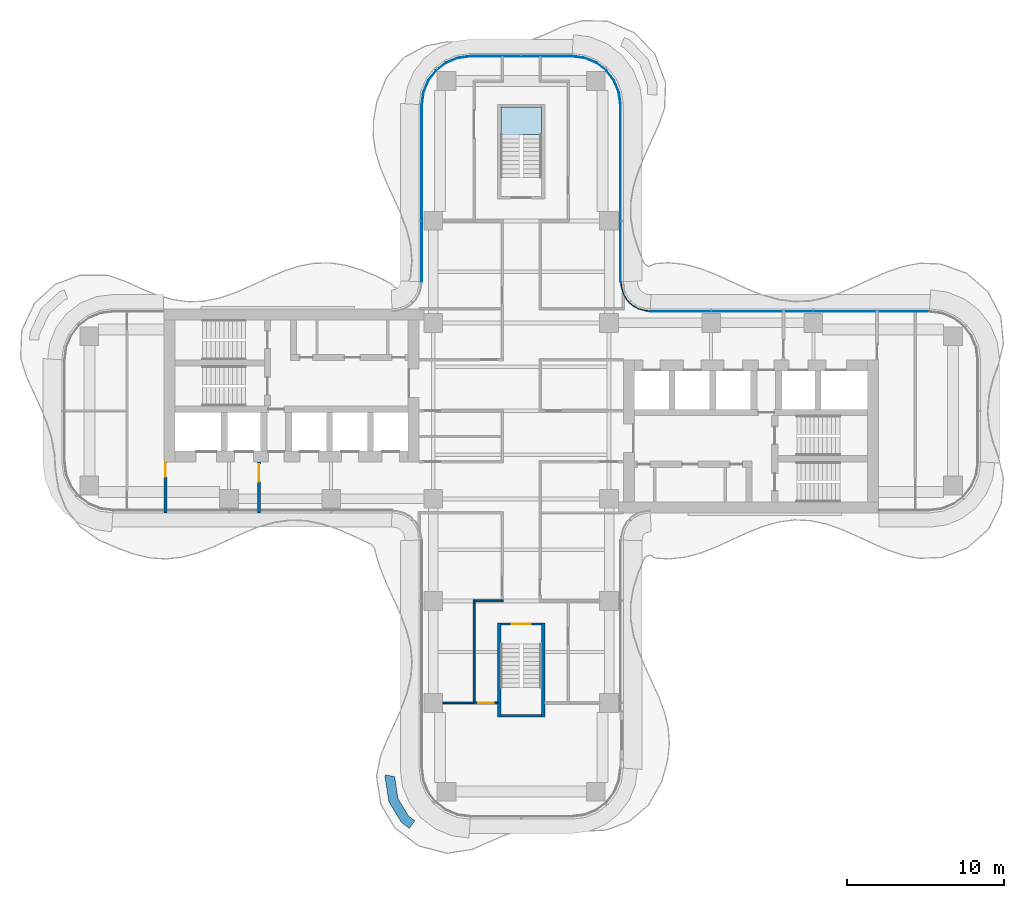
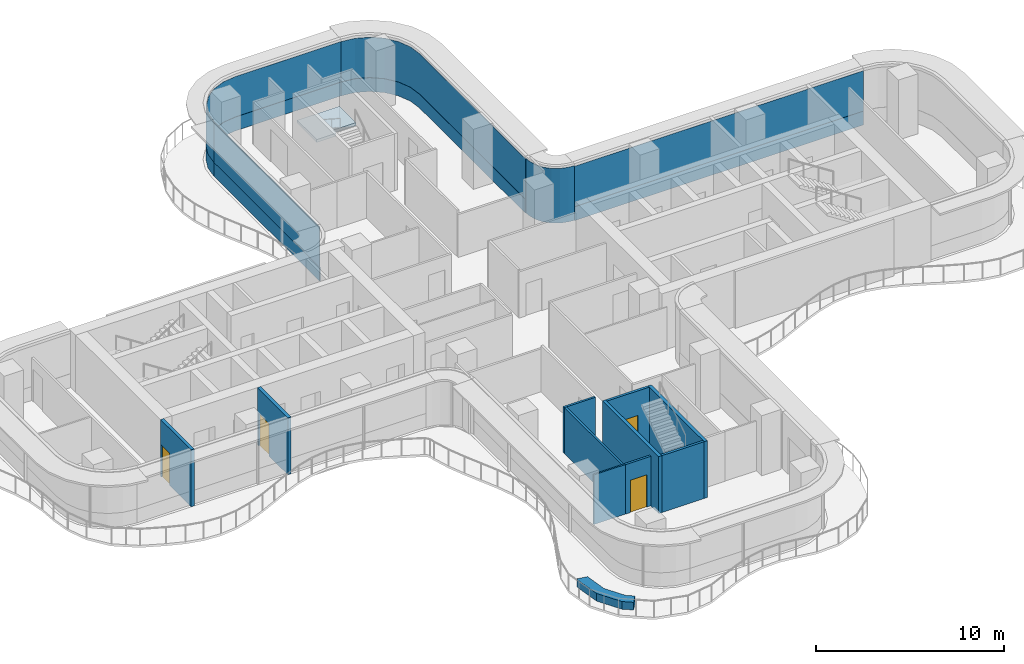
# One storey, part 12 of 18: 11 walls, 9 plates, 4 doors, 1 slab, 4 openings, 6 elements without a shape of their own.
"""IFC4 building model written with IfcOpenShell, lengths in metres."""

from ifc_helpers import new_model, si_unit, direction, frame, frame_2d, origin, place, context, subcontext, project, spatial, polyline, rectangle, outline, extrude, source, transform, mapped, material, layer, layer_set, type_object, element, fill, aggregate, save


model = new_model("IFC4")

# Units and contexts
model_context = context("Model", 3, precision=1e-05, world=origin(), true_north=direction((0.0, 1.0)))
body_context = subcontext(model_context, "Body", "Model", "MODEL_VIEW")
ifc_project = project(units=[si_unit("LENGTHUNIT", "METRE"), si_unit("AREAUNIT", "SQUARE_METRE"), si_unit("VOLUMEUNIT", "CUBIC_METRE"), si_unit("PLANEANGLEUNIT", "RADIAN"), si_unit("MASSUNIT", "GRAM", prefix="KILO")], contexts=[model_context])

# Site, building, storey
site_placement = place(None, origin())
site = spatial("IfcSite", under=ifc_project, at=site_placement, CompositionType="ELEMENT")
building_placement = place(site_placement, origin())
building = spatial("IfcBuilding", under=site, at=building_placement, Name="Trellis Farm Tower", CompositionType="ELEMENT")
storey_placement = place(building_placement, frame((0.0, 0.0, 201.0)))
storey = spatial("IfcBuildingStorey", under=building, at=storey_placement, Name="L44", CompositionType="ELEMENT", Elevation=201.0)

# Stair, slab
ifc_material_1 = material(Name="Concrete C50/60", Category="concrete")
stair_type = type_object("IfcStairType", Name="CORE EXIT STAIR 22 RISERS 177 MM", PredefinedType="HALF_TURN_STAIR", material=ifc_material_1)
placement_1 = place(storey_placement, origin())
stair = element("IfcStair", 1, at=placement_1, inside=storey, type_object=stair_type, Name="Exit stair N", PredefinedType="HALF_TURN_STAIR")
ifc_layer_1 = layer(ifc_material_1, 0.18994140625)
ifc_layer_set_1 = layer_set([ifc_layer_1], Name="CORE STAIR LANDING 190 CONCRETE C50/60")
slab_type = type_object("IfcSlabType", Name="CORE STAIR LANDING 190 CONCRETE C50/60", PredefinedType="LANDING", material=ifc_layer_set_1)
shared_shape_1 = source(origin(), body_context, "Body", "SweptSolid", [
    extrude(outline(polyline([(-0.10009765625, 17.27197265625), (-1.300048828125, 17.27197265625), (-1.300048828125, 17.60009765625), (-1.300048828125, 19.35009765625), (1.300048828125, 19.35009765625), (1.300048828125, 17.60009765625), (1.300048828125, 17.590087890625), (0.10009765625, 17.590087890625), (0.10009765625, 17.60009765625), (-0.10009765625, 17.60009765625), (-0.10009765625, 17.27197265625)])), origin(), (0.0, 0.0, 1.0), 0.18994140625),
])
slab_placement = place(storey_placement, frame((0.0, 0.0, 1.760009765625)))
slab = element("IfcSlab", 2, at=slab_placement, type_object=slab_type, Name="STN landing 1", PredefinedType="LANDING", context=body_context, shape_type="MappedRepresentation", body=[
    mapped(shared_shape_1, transform((0.0, 0.0, 0.0))),
])
aggregate(stair, [slab])

# Curtain wall, plate
ifc_material_2 = material(Name="Aluminium and glass curtain wall", Category="aluminium")
ifc_layer_2 = layer(ifc_material_2, 0.18994140625)
ifc_layer_set_2 = layer_set([ifc_layer_2], Name="RIBBON CURTAIN WALL CW1")
curtain_wall_type_1 = type_object("IfcCurtainWallType", Name="RIBBON CURTAIN WALL CW1", PredefinedType="NOTDEFINED", material=ifc_layer_set_2)
curtain_wall_1 = element("IfcCurtainWall", 3, at=placement_1, inside=storey, type_object=curtain_wall_type_1, Name="CW1 008", PredefinedType="NOTDEFINED")
ifc_material_3 = material(Name="Sandstone faced insulated panel", Category="masonry")
ifc_layer_3 = layer(ifc_material_3, 0.050048828125)
ifc_layer_set_3 = layer_set([ifc_layer_3], Name="CW1 STONE SPANDREL PANEL 50")
plate_type_1 = type_object("IfcPlateType", Name="CW1 STONE SPANDREL PANEL 50", PredefinedType="CURTAIN_PANEL", material=ifc_layer_set_3)
shared_shape_2 = source(origin(), body_context, "Body", "SweptSolid", [
    extrude(outline(polyline([(25.990234375, 6.35009765625), (8.2265625, 6.35009765625), (8.224853515625, 6.300048828125), (25.98681640625, 6.300048828125), (25.990234375, 6.35009765625)])), origin(), (0.0, 0.0, 1.0), 0.89990234375),
])
plate_1 = element("IfcPlate", 4, at=placement_1, type_object=plate_type_1, Name="PS1 008", PredefinedType="CURTAIN_PANEL", context=body_context, shape_type="MappedRepresentation", body=[
    mapped(shared_shape_2, transform((0.0, 0.0, 0.0))),
])

ifc_layer_4 = layer(ifc_material_2, 0.166015625)
ifc_layer_set_4 = layer_set([ifc_layer_4], Name="WINTER GARDEN CURTAIN WALL CW3")
curtain_wall_type_2 = type_object("IfcCurtainWallType", Name="WINTER GARDEN CURTAIN WALL CW3", PredefinedType="NOTDEFINED", material=ifc_layer_set_4)
curtain_wall_2 = element("IfcCurtainWall", 5, at=placement_1, inside=storey, type_object=curtain_wall_type_2, Name="CW3 003", PredefinedType="NOTDEFINED")
ifc_material_4 = material(Name="Clear insulated glass", Category="glass")
ifc_layer_5 = layer(ifc_material_4, 0.0458984375)
ifc_layer_set_5 = layer_set([ifc_layer_5], Name="CW3 GLASS PANEL 46")
plate_type_2 = type_object("IfcPlateType", Name="CW3 GLASS PANEL 46", PredefinedType="CURTAIN_PANEL", material=ifc_layer_set_5)
shared_shape_3 = source(origin(), body_context, "Body", "SweptSolid", [
    extrude(outline(polyline([(8.2275390625, 6.3798828125), (8.0078125, 6.394287109375), (7.89208984375, 6.40966796875), (7.462158203125, 6.52490234375), (7.070556640625, 6.7509765625), (6.7509765625, 7.070556640625), (6.52490234375, 7.462158203125), (6.40966796875, 7.89208984375), (6.394287109375, 8.0078125), (6.3798828125, 8.2275390625), (6.333984375, 8.22607421875), (6.3486328125, 8.003173828125), (6.364501953125, 7.883056640625), (6.48193359375, 7.4443359375), (6.714111328125, 7.04248046875), (7.04248046875, 6.714111328125), (7.4443359375, 6.48193359375), (7.883056640625, 6.364501953125), (8.003173828125, 6.3486328125), (8.22607421875, 6.333984375), (8.2275390625, 6.3798828125)])), origin(), (0.0, 0.0, 1.0), 3.550048828125),
])
plate_2 = element("IfcPlate", 6, at=placement_1, type_object=plate_type_2, Name="PL3 003", PredefinedType="CURTAIN_PANEL", context=body_context, shape_type="MappedRepresentation", body=[
    mapped(shared_shape_3, transform((0.0, 0.0, 0.0))),
])
aggregate(curtain_wall_2, [plate_2])

# Plate
ifc_layer_6 = layer(ifc_material_4, 0.0400390625)
ifc_layer_set_6 = layer_set([ifc_layer_6], Name="CW1 GLASS PANEL 40")
plate_type_3 = type_object("IfcPlateType", Name="CW1 GLASS PANEL 40", PredefinedType="CURTAIN_PANEL", material=ifc_layer_set_6)
shared_shape_4 = source(origin(), body_context, "Body", "SweptSolid", [
    extrude(outline(polyline([(25.990234375, 6.35009765625), (8.2265625, 6.35009765625), (8.22509765625, 6.31005859375), (25.987548828125, 6.31005859375), (25.990234375, 6.35009765625)])), origin(), (0.0, 0.0, 1.0), 2.6201171875),
])
placement_2 = place(storey_placement, frame((0.0, 0.0, 0.89990234375)))
plate_3 = element("IfcPlate", 7, at=placement_2, type_object=plate_type_3, Name="PL1 008", PredefinedType="CURTAIN_PANEL", context=body_context, shape_type="MappedRepresentation", body=[
    mapped(shared_shape_4, transform((0.0, 0.0, 0.0))),
])

aggregate(curtain_wall_1, [plate_3, plate_1])

# Curtain wall, plates
curtain_wall_3 = element("IfcCurtainWall", 8, at=placement_1, inside=storey, type_object=curtain_wall_type_1, Name="CW1 009", PredefinedType="NOTDEFINED")
shared_shape_5 = source(origin(), body_context, "Body", "SweptSolid", [
    extrude(outline(polyline([(6.35009765625, 8.2265625), (6.35009765625, 19.490234375), (6.2431640625, 20.302001953125), (5.93359375, 21.04931640625), (5.441162109375, 21.691162109375), (4.79931640625, 22.18359375), (4.052001953125, 22.4931640625), (3.240234375, 22.60009765625), (3.237548828125, 22.56005859375), (4.04150390625, 22.4541015625), (4.779296875, 22.148681640625), (5.41259765625, 21.66259765625), (5.898681640625, 21.029296875), (6.2041015625, 20.29150390625), (6.31005859375, 19.487548828125), (6.31005859375, 8.22509765625), (6.35009765625, 8.2265625)])), origin(), (0.0, 0.0, 1.0), 2.6201171875),
])
plate_4 = element("IfcPlate", 9, at=placement_2, type_object=plate_type_3, Name="PL1 009", PredefinedType="CURTAIN_PANEL", context=body_context, shape_type="MappedRepresentation", body=[
    mapped(shared_shape_5, transform((0.0, 0.0, 0.0))),
])
shared_shape_6 = source(origin(), body_context, "Body", "SweptSolid", [
    extrude(outline(polyline([(6.35009765625, 8.2265625), (6.35009765625, 19.490234375), (6.2431640625, 20.302001953125), (5.93359375, 21.04931640625), (5.441162109375, 21.691162109375), (4.79931640625, 22.18359375), (4.052001953125, 22.4931640625), (3.240234375, 22.60009765625), (3.23681640625, 22.550048828125), (4.0390625, 22.4443359375), (4.774169921875, 22.139892578125), (5.405517578125, 21.655517578125), (5.889892578125, 21.024169921875), (6.1943359375, 20.2890625), (6.300048828125, 19.48681640625), (6.300048828125, 8.224853515625), (6.35009765625, 8.2265625)])), origin(), (0.0, 0.0, 1.0), 0.89990234375),
])
plate_5 = element("IfcPlate", 10, at=placement_1, type_object=plate_type_1, Name="PS1 009", PredefinedType="CURTAIN_PANEL", context=body_context, shape_type="MappedRepresentation", body=[
    mapped(shared_shape_6, transform((0.0, 0.0, 0.0))),
])
aggregate(curtain_wall_3, [plate_4, plate_5])

curtain_wall_4 = element("IfcCurtainWall", 11, at=placement_1, inside=storey, type_object=curtain_wall_type_1, Name="CW1 010", PredefinedType="NOTDEFINED")
shared_shape_7 = source(origin(), body_context, "Body", "SweptSolid", [
    extrude(outline(polyline([(3.240234375, 22.60009765625), (-3.240234375, 22.60009765625), (-4.052001953125, 22.4931640625), (-4.79931640625, 22.18359375), (-5.441162109375, 21.691162109375), (-5.93359375, 21.04931640625), (-6.2431640625, 20.302001953125), (-6.35009765625, 19.490234375), (-6.31005859375, 19.487548828125), (-6.2041015625, 20.29150390625), (-5.898681640625, 21.029296875), (-5.41259765625, 21.66259765625), (-4.779296875, 22.148681640625), (-4.04150390625, 22.4541015625), (-3.237548828125, 22.56005859375), (3.237548828125, 22.56005859375), (3.240234375, 22.60009765625)])), origin(), (0.0, 0.0, 1.0), 2.6201171875),
])
plate_6 = element("IfcPlate", 12, at=placement_2, type_object=plate_type_3, Name="PL1 010", PredefinedType="CURTAIN_PANEL", context=body_context, shape_type="MappedRepresentation", body=[
    mapped(shared_shape_7, transform((0.0, 0.0, 0.0))),
])
shared_shape_8 = source(origin(), body_context, "Body", "SweptSolid", [
    extrude(outline(polyline([(3.240234375, 22.60009765625), (-3.240234375, 22.60009765625), (-4.052001953125, 22.4931640625), (-4.79931640625, 22.18359375), (-5.441162109375, 21.691162109375), (-5.93359375, 21.04931640625), (-6.2431640625, 20.302001953125), (-6.35009765625, 19.490234375), (-6.300048828125, 19.48681640625), (-6.1943359375, 20.2890625), (-5.889892578125, 21.024169921875), (-5.405517578125, 21.655517578125), (-4.774169921875, 22.139892578125), (-4.0390625, 22.4443359375), (-3.23681640625, 22.550048828125), (3.23681640625, 22.550048828125), (3.240234375, 22.60009765625)])), origin(), (0.0, 0.0, 1.0), 0.89990234375),
])
plate_7 = element("IfcPlate", 13, at=placement_1, type_object=plate_type_1, Name="PS1 010", PredefinedType="CURTAIN_PANEL", context=body_context, shape_type="MappedRepresentation", body=[
    mapped(shared_shape_8, transform((0.0, 0.0, 0.0))),
])
aggregate(curtain_wall_4, [plate_6, plate_7])

curtain_wall_5 = element("IfcCurtainWall", 14, at=placement_1, inside=storey, type_object=curtain_wall_type_1, Name="CW1 011", PredefinedType="NOTDEFINED")
shared_shape_9 = source(origin(), body_context, "Body", "SweptSolid", [
    extrude(outline(polyline([(-6.35009765625, 19.490234375), (-6.35009765625, 8.2265625), (-6.31005859375, 8.22509765625), (-6.31005859375, 19.487548828125), (-6.35009765625, 19.490234375)])), origin(), (0.0, 0.0, 1.0), 2.6201171875),
])
plate_8 = element("IfcPlate", 15, at=placement_2, type_object=plate_type_3, Name="PL1 011", PredefinedType="CURTAIN_PANEL", context=body_context, shape_type="MappedRepresentation", body=[
    mapped(shared_shape_9, transform((0.0, 0.0, 0.0))),
])
shared_shape_10 = source(origin(), body_context, "Body", "SweptSolid", [
    extrude(outline(polyline([(-6.35009765625, 19.490234375), (-6.35009765625, 8.2265625), (-6.300048828125, 8.224853515625), (-6.300048828125, 19.48681640625), (-6.35009765625, 19.490234375)])), origin(), (0.0, 0.0, 1.0), 0.89990234375),
])
plate_9 = element("IfcPlate", 16, at=placement_1, type_object=plate_type_1, Name="PS1 011", PredefinedType="CURTAIN_PANEL", context=body_context, shape_type="MappedRepresentation", body=[
    mapped(shared_shape_10, transform((0.0, 0.0, 0.0))),
])
aggregate(curtain_wall_5, [plate_8, plate_9])

# Wall
ifc_material_5 = material(Name="Sandstone faced masonry planter", Category="masonry")
ifc_layer_7 = layer(ifc_material_5, 0.60009765625)
ifc_layer_set_7 = layer_set([ifc_layer_7], Name="PLANTER BED 600")
wall_type_1 = type_object("IfcWallType", Name="PLANTER BED 600", PredefinedType="USERDEFINED", material=ifc_layer_set_7)
element("IfcWall", 17, at=placement_1, inside=storey, type_object=wall_type_1, Name="PLANTER bed", ObjectType="PLANTER", PredefinedType="USERDEFINED", context=body_context, shape_type="SweptSolid", body=[
    extrude(outline(polyline([(-8.425048828125, -24.8896484375), (-8.67138671875, -23.30810546875), (-8.64697265625, -23.180419921875), (-8.0576171875, -23.292724609375), (-7.850341796875, -24.6806640625), (-7.1767578125, -25.797119140625), (-6.76806640625, -26.104736328125), (-7.128662109375, -26.583984375), (-7.630615234375, -26.20654296875), (-8.425048828125, -24.8896484375)])), origin(), (0.0, 0.0, 1.0), 0.5),
])

# Wall, opening, door
ifc_material_6 = material(Name="Masonry blockwork", Category="masonry")
ifc_layer_8 = layer(ifc_material_6, 0.199951171875)
ifc_layer_set_8 = layer_set([ifc_layer_8], Name="FIRE LOBBY PARTITION 200 BLOCKWORK")
wall_type_2 = type_object("IfcWallType", Name="FIRE LOBBY PARTITION 200 BLOCKWORK", PredefinedType="PARTITIONING", material=ifc_layer_set_8)
shared_shape_11 = source(origin(), body_context, "Body", "SweptSolid", [
    extrude(rectangle(XDim=3.25, YDim=0.199951171875, at=frame_2d((1.625, 0.0))), origin(), (0.0, 0.0, 1.0), 3.699951171875),
])
wall_2_placement = place(storey_placement, frame((-16.699951171875, -3.25, 0.0), z_axis=(0.0, 0.0, 1.0), x_axis=(0.0, -1.0, 0.0)))
wall_2 = element("IfcWall", 18, at=wall_2_placement, inside=storey, type_object=wall_type_2, Name="Fire-fighting lobby partition", PredefinedType="PARTITIONING", context=body_context, shape_type="MappedRepresentation", body=[
    mapped(shared_shape_11, transform((0.0, 0.0, 0.0))),
])
shared_shape_12 = source(origin(), body_context, "Body", "SweptSolid", [
    extrude(rectangle(XDim=1.10009765625, YDim=2.10009765625, at=frame_2d((0.550048828125, 1.050048828125))), frame((0.0, 0.110107421875, 0.0), z_axis=(0.0, -1.0, 0.0), x_axis=(1.0, 0.0, 0.0)), (0.0, 0.0, 1.0), 0.22021484375),
])
opening_1_placement = place(wall_2_placement, frame((0.14990234375, 0.0, 0.0)))
opening_1 = element("IfcOpeningElement", 19, at=opening_1_placement, cuts=wall_2, Name="Opening DC93", PredefinedType="OPENING", context=body_context, shape_type="MappedRepresentation", body=[
    mapped(shared_shape_12, transform((0.0, 0.0, 0.0))),
])
ifc_material_7 = material(Name="Steel", Category="steel")
door_type_1 = type_object("IfcDoorType", Name="CORE FIRE DOOR 1100 X 2100", OperationType="NOTDEFINED", PredefinedType="DOOR", material=ifc_material_7)
shared_shape_13 = source(origin(), body_context, "Body", "SweptSolid", [
    extrude(rectangle(XDim=1.10009765625, YDim=2.10009765625, at=frame_2d((0.550048828125, 1.050048828125))), frame((0.0, 0.02490234375, 0.0), z_axis=(0.0, -1.0, 0.0), x_axis=(1.0, 0.0, 0.0)), (0.0, 0.0, 1.0), 0.050048828125),
])
door_1_placement = place(opening_1_placement, origin())
door_1 = element("IfcDoor", 20, at=door_1_placement, inside=storey, type_object=door_type_1, Name="Core door", OperationType="SINGLE_SWING_RIGHT", OverallHeight=2.10009765625, OverallWidth=1.10009765625, PredefinedType="DOOR", context=body_context, shape_type="MappedRepresentation", body=[
    mapped(shared_shape_13, transform((0.0, 0.0, 0.0))),
])
fill(opening_1, door_1)

wall_3_placement = place(storey_placement, frame((-22.64990234375, -3.25, 0.0), z_axis=(0.0, 0.0, 1.0), x_axis=(0.0, -1.0, 0.0)))
wall_3 = element("IfcWall", 21, at=wall_3_placement, inside=storey, type_object=wall_type_2, Name="Fire-fighting lobby partition", PredefinedType="PARTITIONING", context=body_context, shape_type="MappedRepresentation", body=[
    mapped(shared_shape_11, transform((0.0, 0.0, 0.0))),
])
shared_shape_14 = source(origin(), body_context, "Body", "SweptSolid", [
    extrude(rectangle(XDim=0.89990234375, YDim=2.10009765625, at=frame_2d((0.449951171875, 1.050048828125))), frame((0.0, 0.110107421875, 0.0), z_axis=(0.0, -1.0, 0.0), x_axis=(1.0, 0.0, 0.0)), (0.0, 0.0, 1.0), 0.22021484375),
])
opening_2_placement = place(wall_3_placement, frame((0.050048828125, 0.0, 0.0)))
opening_2 = element("IfcOpeningElement", 22, at=opening_2_placement, cuts=wall_3, Name="Opening DC94", PredefinedType="OPENING", context=body_context, shape_type="MappedRepresentation", body=[
    mapped(shared_shape_14, transform((0.0, 0.0, 0.0))),
])
door_type_2 = type_object("IfcDoorType", Name="CORE FIRE DOOR 900 X 2100", OperationType="NOTDEFINED", PredefinedType="DOOR", material=ifc_material_7)
shared_shape_15 = source(origin(), body_context, "Body", "SweptSolid", [
    extrude(rectangle(XDim=0.89990234375, YDim=2.10009765625, at=frame_2d((0.449951171875, 1.050048828125))), frame((0.0, 0.02490234375, 0.0), z_axis=(0.0, -1.0, 0.0), x_axis=(1.0, 0.0, 0.0)), (0.0, 0.0, 1.0), 0.050048828125),
])
door_2_placement = place(opening_2_placement, origin())
door_2 = element("IfcDoor", 23, at=door_2_placement, inside=storey, type_object=door_type_2, Name="Core door", OperationType="SINGLE_SWING_RIGHT", OverallHeight=2.10009765625, OverallWidth=0.89990234375, PredefinedType="DOOR", context=body_context, shape_type="MappedRepresentation", body=[
    mapped(shared_shape_15, transform((0.0, 0.0, 0.0))),
])
fill(opening_2, door_2)

# Walls
ifc_material_8 = material(Name="Concrete C70/85", Category="concrete")
ifc_layer_9 = layer(ifc_material_8, 0.199951171875)
ifc_layer_set_9 = layer_set([ifc_layer_9], Name="CORE STAIR ENCLOSURE WALL 200 CONCRETE C70/85")
wall_type_3 = type_object("IfcWallType", Name="CORE STAIR ENCLOSURE WALL 200 CONCRETE C70/85", PredefinedType="SHEAR", material=ifc_layer_set_9)
shared_shape_16 = source(origin(), body_context, "Body", "SweptSolid", [
    extrude(rectangle(XDim=6.0, YDim=0.199951171875, at=frame_2d((3.0, 0.0))), origin(), (0.0, 0.0, 1.0), 3.699951171875),
])
for number, where, z_axis, x_axis, name in (
    (24, (1.39990234375, -13.5, 0.0), (0.0, 0.0, 1.0), (0.0, -1.0, 0.0), "Stair enclosure wall"),
    (25, (-1.39990234375, -13.5, 0.0), (0.0, 0.0, 1.0), (0.0, -1.0, 0.0), "Stair enclosure wall"),
):
    element("IfcWall", number, at=place(storey_placement, frame(where, z_axis=z_axis, x_axis=x_axis)), inside=storey, type_object=wall_type_3, Name=name, PredefinedType="SHEAR", context=body_context, shape_type="MappedRepresentation", body=[
        mapped(shared_shape_16, transform((0.0, 0.0, 0.0))),
    ])

# Wall, opening, door
ifc_layer_10 = layer(ifc_material_8, 0.14990234375)
ifc_layer_set_10 = layer_set([ifc_layer_10], Name="CORE STAIR ENCLOSURE WALL 150 CONCRETE C70/85")
wall_type_4 = type_object("IfcWallType", Name="CORE STAIR ENCLOSURE WALL 150 CONCRETE C70/85", PredefinedType="SHEAR", material=ifc_layer_set_10)
shared_shape_17 = source(origin(), body_context, "Body", "SweptSolid", [
    extrude(rectangle(XDim=2.60009765625, YDim=0.14990234375, at=frame_2d((1.300048828125, 0.0))), origin(), (0.0, 0.0, 1.0), 3.699951171875),
])
wall_4_placement = place(storey_placement, frame((1.300048828125, -13.574951171875, 0.0), z_axis=(0.0, 0.0, 1.0), x_axis=(-1.0, 0.0, 0.0)))
wall_4 = element("IfcWall", 26, at=wall_4_placement, inside=storey, type_object=wall_type_4, Name="Stair enclosure wall", PredefinedType="SHEAR", context=body_context, shape_type="MappedRepresentation", body=[
    mapped(shared_shape_17, transform((0.0, 0.0, 0.0))),
])
shared_shape_18 = source(origin(), body_context, "Body", "SweptSolid", [
    extrude(rectangle(XDim=1.199951171875, YDim=2.10009765625, at=frame_2d((0.60009765625, 1.050048828125))), frame((0.0, 0.0849609375, 0.0), z_axis=(0.0, -1.0, 0.0), x_axis=(1.0, 0.0, 0.0)), (0.0, 0.0, 1.0), 0.169921875),
])
opening_3_placement = place(wall_4_placement, frame((0.699951171875, 0.0, 0.0)))
opening_3 = element("IfcOpeningElement", 27, at=opening_3_placement, cuts=wall_4, Name="Opening DC174", PredefinedType="OPENING", context=body_context, shape_type="MappedRepresentation", body=[
    mapped(shared_shape_18, transform((0.0, 0.0, 0.0))),
])
door_type_3 = type_object("IfcDoorType", Name="CORE FIRE DOOR 1200 X 2100", OperationType="NOTDEFINED", PredefinedType="DOOR", material=ifc_material_7)
shared_shape_19 = source(origin(), body_context, "Body", "SweptSolid", [
    extrude(rectangle(XDim=1.199951171875, YDim=2.10009765625, at=frame_2d((0.60009765625, 1.050048828125))), frame((0.0, 0.02490234375, 0.0), z_axis=(0.0, -1.0, 0.0), x_axis=(1.0, 0.0, 0.0)), (0.0, 0.0, 1.0), 0.050048828125),
])
door_3_placement = place(opening_3_placement, origin())
door_3 = element("IfcDoor", 28, at=door_3_placement, inside=storey, type_object=door_type_3, Name="Core door", OperationType="SINGLE_SWING_RIGHT", OverallHeight=2.10009765625, OverallWidth=1.199951171875, PredefinedType="DOOR", context=body_context, shape_type="MappedRepresentation", body=[
    mapped(shared_shape_19, transform((0.0, 0.0, 0.0))),
])
fill(opening_3, door_3)

# Walls
wall_5_placement = place(storey_placement, frame((1.300048828125, -19.425048828125, 0.0), z_axis=(0.0, 0.0, 1.0), x_axis=(-1.0, 0.0, 0.0)))
element("IfcWall", 29, at=wall_5_placement, inside=storey, type_object=wall_type_4, Name="Stair enclosure wall", PredefinedType="SHEAR", context=body_context, shape_type="MappedRepresentation", body=[
    mapped(shared_shape_17, transform((0.0, 0.0, 0.0))),
])
ifc_material_9 = material(Name="Plasterboard on steel studs", Category="steel")
ifc_layer_11 = layer(ifc_material_9, 0.10009765625)
ifc_layer_set_11 = layer_set([ifc_layer_11], Name="PARTITION 100 STUD EI 30")
wall_type_5 = type_object("IfcWallType", Name="PARTITION 100 STUD EI 30", PredefinedType="PARTITIONING", material=ifc_layer_set_11)
shared_shape_20 = source(origin(), body_context, "Body", "SweptSolid", [
    extrude(rectangle(XDim=2.0625, YDim=0.10009765625, at=frame_2d((1.03125, 0.0))), origin(), (0.0, 0.0, 1.0), 3.222900390625),
])
wall_6_placement = place(storey_placement, frame((-5.0, -18.60009765625, 0.0), z_axis=(0.0, 0.0, 1.0), x_axis=(1.0, 0.0, 0.0)))
element("IfcWall", 30, at=wall_6_placement, inside=storey, type_object=wall_type_5, Name="Partition PW2", PredefinedType="PARTITIONING", context=body_context, shape_type="MappedRepresentation", body=[
    mapped(shared_shape_20, transform((0.0, 0.0, 0.0))),
])

# Wall, opening, door
ifc_material_10 = material(Name="Plasterboard on steel studs, mineral wool", Category="steel")
ifc_layer_12 = layer(ifc_material_10, 0.125)
ifc_layer_set_12 = layer_set([ifc_layer_12], Name="PARTITION 125 STUD EI 60")
wall_type_6 = type_object("IfcWallType", Name="PARTITION 125 STUD EI 60", PredefinedType="PARTITIONING", material=ifc_layer_set_12)
shared_shape_21 = source(origin(), body_context, "Body", "SweptSolid", [
    extrude(rectangle(XDim=1.5625, YDim=0.125, at=frame_2d((0.78125, 0.0))), origin(), (0.0, 0.0, 1.0), 3.222900390625),
])
wall_7_placement = place(storey_placement, frame((-1.5, -18.60009765625, 0.0), z_axis=(0.0, 0.0, 1.0), x_axis=(-1.0, 0.0, 0.0)))
wall_7 = element("IfcWall", 31, at=wall_7_placement, inside=storey, type_object=wall_type_6, Name="Partition PW1", PredefinedType="PARTITIONING", context=body_context, shape_type="MappedRepresentation", body=[
    mapped(shared_shape_21, transform((0.0, 0.0, 0.0))),
])
shared_shape_22 = source(origin(), body_context, "Body", "SweptSolid", [
    extrude(rectangle(XDim=1.0, YDim=2.10009765625, at=frame_2d((0.5, 1.050048828125))), frame((0.0, 0.072509765625, 0.0), z_axis=(0.0, -1.0, 0.0), x_axis=(1.0, 0.0, 0.0)), (0.0, 0.0, 1.0), 0.14501953125),
])
opening_4_placement = place(wall_7_placement, frame((0.25, 0.0, 0.0)))
opening_4 = element("IfcOpeningElement", 32, at=opening_4_placement, cuts=wall_7, Name="Opening D101", PredefinedType="OPENING", context=body_context, shape_type="MappedRepresentation", body=[
    mapped(shared_shape_22, transform((0.0, 0.0, 0.0))),
])
ifc_material_11 = material(Name="Fire-rated timber door leaf in a hollow metal frame", Category="wood")
door_type_4 = type_object("IfcDoorType", Name="DOOR 1000x2100 FD30S", OperationType="NOTDEFINED", PredefinedType="DOOR", material=ifc_material_11)
shared_shape_23 = source(origin(), body_context, "Body", "SweptSolid", [
    extrude(rectangle(XDim=1.0, YDim=2.10009765625, at=frame_2d((0.5, 1.050048828125))), frame((0.0, 0.02490234375, 0.0), z_axis=(0.0, -1.0, 0.0), x_axis=(1.0, 0.0, 0.0)), (0.0, 0.0, 1.0), 0.050048828125),
])
door_4_placement = place(opening_4_placement, origin())
door_4 = element("IfcDoor", 33, at=door_4_placement, inside=storey, type_object=door_type_4, Name="Door D101", OperationType="SINGLE_SWING_LEFT", OverallHeight=2.10009765625, OverallWidth=1.0, PredefinedType="DOOR", context=body_context, shape_type="MappedRepresentation", body=[
    mapped(shared_shape_23, transform((0.0, 0.0, 0.0))),
])
fill(opening_4, door_4)

# Walls
shared_shape_24 = source(origin(), body_context, "Body", "SweptSolid", [
    extrude(rectangle(XDim=1.925048828125, YDim=0.125, at=frame_2d((0.96240234375, 0.0))), origin(), (0.0, 0.0, 1.0), 2.99658203125),
])
wall_8_placement = place(storey_placement, frame((-3.0625, -12.10009765625, 0.0), z_axis=(0.0, 0.0, 1.0), x_axis=(1.0, 0.0, 0.0)))
element("IfcWall", 34, at=wall_8_placement, inside=storey, type_object=wall_type_6, Name="Partition PW1", PredefinedType="PARTITIONING", context=body_context, shape_type="MappedRepresentation", body=[
    mapped(shared_shape_24, transform((0.0, 0.0, 0.0))),
])
shared_shape_25 = source(origin(), body_context, "Body", "SweptSolid", [
    extrude(rectangle(XDim=6.387451171875, YDim=0.125, at=frame_2d((3.19384765625, 0.0))), origin(), (0.0, 0.0, 1.0), 2.99658203125),
])
wall_9_placement = place(storey_placement, frame((-3.0, -18.550048828125, 0.0), z_axis=(0.0, 0.0, 1.0), x_axis=(0.0, 1.0, 0.0)))
element("IfcWall", 35, at=wall_9_placement, inside=storey, type_object=wall_type_6, Name="Partition PW1", PredefinedType="PARTITIONING", context=body_context, shape_type="MappedRepresentation", body=[
    mapped(shared_shape_25, transform((0.0, 0.0, 0.0))),
])

save(model, "model.ifc")
